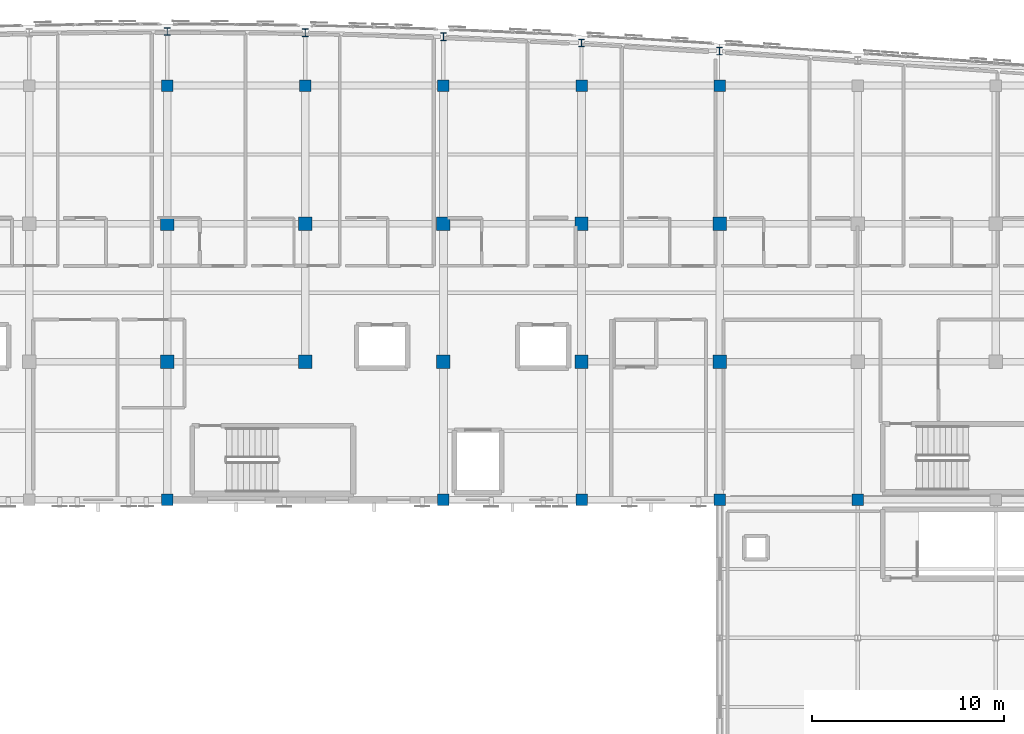
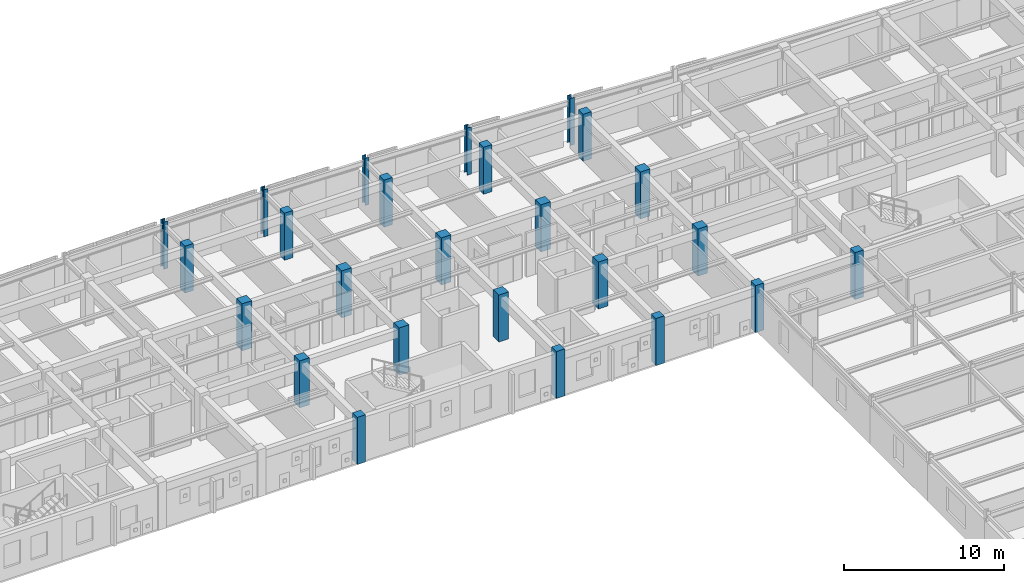
# One storey, part 4 of 73: 25 columns.
"""IFC4 building model written with IfcOpenShell, lengths in metres."""

from ifc_helpers import new_model, si_unit, direction, frame, origin, origin_2d, place, context, subcontext, project, spatial, rectangle, i_section, extrude, material, material_profile, profile_set, type_object, element, save


model = new_model("IFC4")

# Units and contexts
model_context = context("Model", 3, precision=1e-05, world=origin(), true_north=direction((0.0, 1.0)))
body_context = subcontext(model_context, "Body", "Model", "MODEL_VIEW")
ifc_project = project(units=[si_unit("LENGTHUNIT", "METRE"), si_unit("AREAUNIT", "SQUARE_METRE"), si_unit("VOLUMEUNIT", "CUBIC_METRE"), si_unit("PLANEANGLEUNIT", "RADIAN"), si_unit("MASSUNIT", "GRAM", prefix="KILO")], contexts=[model_context])

# Site, building, storey
site_placement = place(None, origin())
site = spatial("IfcSite", under=ifc_project, at=site_placement, CompositionType="ELEMENT")
building_placement = place(site_placement, origin())
building = spatial("IfcBuilding", under=site, at=building_placement, Name="Carrowvane Square Congress Hotel", CompositionType="ELEMENT")
storey_placement = place(building_placement, frame((0.0, 0.0, 19.199951171875)))
storey = spatial("IfcBuildingStorey", under=building, at=storey_placement, Name="L04", CompositionType="ELEMENT", Elevation=19.199951171875)

# Columns
ifc_material_1 = material(Name="Concrete C40/50", Category="concrete")
ifc_material_profile_1 = material_profile(ifc_material_1, rectangle(XDim=0.60009765625, YDim=0.60009765625, at=origin_2d()), Name="RC 600x600")
ifc_profile_set_1 = profile_set([ifc_material_profile_1], Name="Concrete C40/50")
column_type_1 = type_object("IfcColumnType", Name="COL-RC-600", PredefinedType="COLUMN", material=ifc_profile_set_1)
for number, where, z_axis, x_axis, name in (
    (1, (98.0, 91.800048828125, 0.0), (0.0, 0.0, 1.0), (1.0, 0.0, 0.0), "L04 column 13/N"),
    (2, (98.0, 113.39990234375, 0.0), (0.0, 0.0, 1.0), (1.0, 0.0, 0.0), "L04 column 13/R"),
    (3, (105.199951171875, 113.39990234375, 0.0), (0.0, 0.0, 1.0), (1.0, 0.0, 0.0), "L04 column 14/R"),
    (4, (112.39990234375, 91.800048828125, 0.0), (0.0, 0.0, 1.0), (1.0, 0.0, 0.0), "L04 column 15/N"),
    (5, (112.39990234375, 113.39990234375, 0.0), (0.0, 0.0, 1.0), (1.0, 0.0, 0.0), "L04 column 15/R"),
    (6, (119.60009765625, 91.800048828125, 0.0), (0.0, 0.0, 1.0), (1.0, 0.0, 0.0), "L04 column 16/N"),
    (7, (119.60009765625, 113.39990234375, 0.0), (0.0, 0.0, 1.0), (1.0, 0.0, 0.0), "L04 column 16/R"),
    (8, (126.800048828125, 91.800048828125, 0.0), (0.0, 0.0, 1.0), (1.0, 0.0, 0.0), "L04 column 17/N"),
    (9, (126.800048828125, 113.39990234375, 0.0), (0.0, 0.0, 1.0), (1.0, 0.0, 0.0), "L04 column 17/R"),
    (10, (134.0, 91.800048828125, 0.0), (0.0, 0.0, 1.0), (1.0, 0.0, 0.0), "L04 column 18/N"),
):
    element("IfcColumn", number, at=place(storey_placement, frame(where, z_axis=z_axis, x_axis=x_axis)), inside=storey, type_object=column_type_1, Name=name, PredefinedType="COLUMN", context=body_context, shape_type="SweptSolid", body=[
        extrude(rectangle(XDim=0.60009765625, YDim=0.60009765625, at=origin_2d()), origin(), (0.0, 0.0, 1.0), 3.60009765625),
    ])
ifc_material_2 = material(Name="Concrete C40/50", Category="concrete")
ifc_material_profile_2 = material_profile(ifc_material_2, rectangle(XDim=0.699951171875, YDim=0.699951171875, at=origin_2d()), Name="RC 700x700")
ifc_profile_set_2 = profile_set([ifc_material_profile_2], Name="Concrete C40/50")
column_type_2 = type_object("IfcColumnType", Name="COL-RC-700", PredefinedType="COLUMN", material=ifc_profile_set_2)
for number, where, z_axis, x_axis, name in (
    (11, (98.0, 99.0, 0.0), (0.0, 0.0, 1.0), (1.0, 0.0, 0.0), "L04 column 13/P"),
    (12, (98.0, 106.199951171875, 0.0), (0.0, 0.0, 1.0), (1.0, 0.0, 0.0), "L04 column 13/Q"),
    (13, (105.199951171875, 99.0, 0.0), (0.0, 0.0, 1.0), (1.0, 0.0, 0.0), "L04 column 14/P"),
    (14, (105.199951171875, 106.199951171875, 0.0), (0.0, 0.0, 1.0), (1.0, 0.0, 0.0), "L04 column 14/Q"),
    (15, (112.39990234375, 99.0, 0.0), (0.0, 0.0, 1.0), (1.0, 0.0, 0.0), "L04 column 15/P"),
    (16, (112.39990234375, 106.199951171875, 0.0), (0.0, 0.0, 1.0), (1.0, 0.0, 0.0), "L04 column 15/Q"),
    (17, (119.60009765625, 99.0, 0.0), (0.0, 0.0, 1.0), (1.0, 0.0, 0.0), "L04 column 16/P"),
    (18, (119.60009765625, 106.199951171875, 0.0), (0.0, 0.0, 1.0), (1.0, 0.0, 0.0), "L04 column 16/Q"),
    (19, (126.800048828125, 99.0, 0.0), (0.0, 0.0, 1.0), (1.0, 0.0, 0.0), "L04 column 17/P"),
    (20, (126.800048828125, 106.199951171875, 0.0), (0.0, 0.0, 1.0), (1.0, 0.0, 0.0), "L04 column 17/Q"),
):
    element("IfcColumn", number, at=place(storey_placement, frame(where, z_axis=z_axis, x_axis=x_axis)), inside=storey, type_object=column_type_2, Name=name, PredefinedType="COLUMN", context=body_context, shape_type="SweptSolid", body=[
        extrude(rectangle(XDim=0.699951171875, YDim=0.699951171875, at=origin_2d()), origin(), (0.0, 0.0, 1.0), 3.60009765625),
    ])
ifc_material_3 = material(Name="Steel S355", Category="steel")
ifc_material_profile_3 = material_profile(ifc_material_3, i_section(OverallWidth=0.300048828125, OverallDepth=0.39990234375, WebThickness=0.013427734375, FlangeThickness=0.02392578125, FilletRadius=0.027099609375, at=origin_2d()), Name="HEB 400")
ifc_profile_set_3 = profile_set([ifc_material_profile_3], Name="Steel S355")
column_type_3 = type_object("IfcColumnType", Name="COL-ST-HEB400", PredefinedType="COLUMN", material=ifc_profile_set_3)
for number, where, z_axis, x_axis, name in (
    (21, (98.0, 116.219970703125, 0.0), (0.0, 0.0, 1.0), (1.0, 0.0, 0.0), "L04 column 13/ARC"),
    (22, (105.199951171875, 116.14990234375, 0.0), (0.0, 0.0, 1.0), (1.0, 0.0, 0.0), "L04 column 14/ARC"),
    (23, (112.39990234375, 115.944091796875, 0.0), (0.0, 0.0, 1.0), (1.0, 0.0, 0.0), "L04 column 15/ARC"),
    (24, (119.60009765625, 115.61767578125, 0.0), (0.0, 0.0, 1.0), (1.0, 0.0, 0.0), "L04 column 16/ARC"),
    (25, (126.800048828125, 115.1943359375, 0.0), (0.0, 0.0, 1.0), (1.0, 0.0, 0.0), "L04 column 17/ARC"),
):
    element("IfcColumn", number, at=place(storey_placement, frame(where, z_axis=z_axis, x_axis=x_axis)), inside=storey, type_object=column_type_3, Name=name, PredefinedType="COLUMN", context=body_context, shape_type="SweptSolid", body=[
        extrude(i_section(OverallWidth=0.300048828125, OverallDepth=0.39990234375, WebThickness=0.013427734375, FlangeThickness=0.02392578125, FilletRadius=0.027099609375, at=origin_2d()), origin(), (0.0, 0.0, 1.0), 3.60009765625),
    ])

save(model, "model.ifc")
